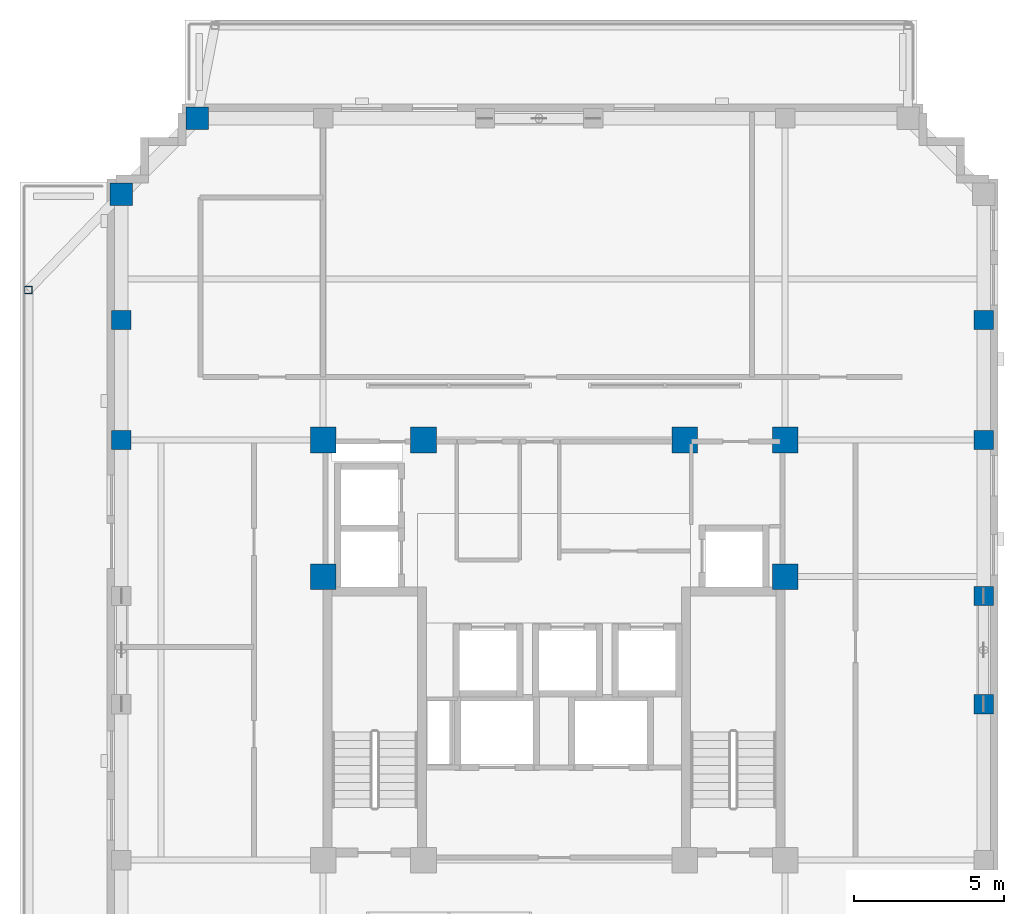
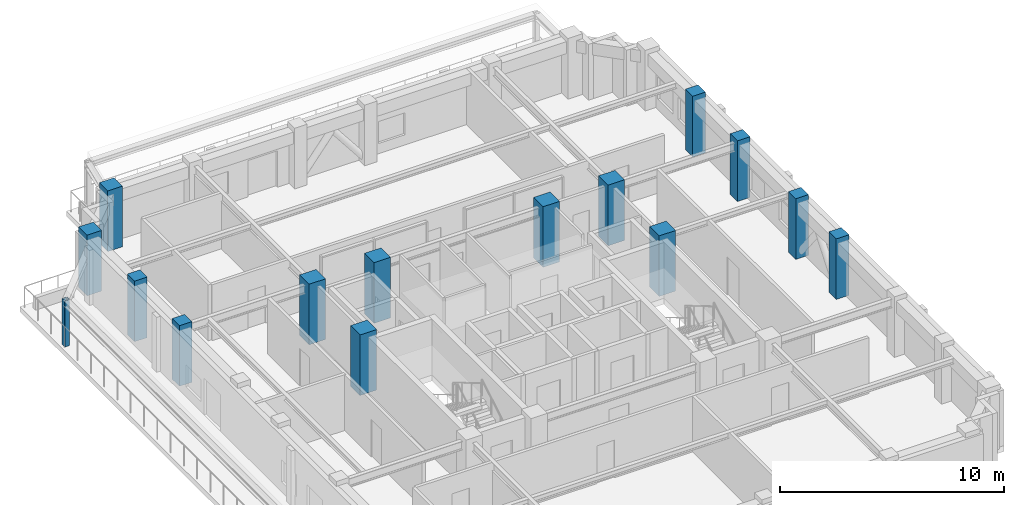
# One storey, part 2 of 14: 15 columns.
"""IFC4 building model written with IfcOpenShell, lengths in metres."""

from ifc_helpers import new_model, si_unit, derived_unit, direction, frame, origin, origin_2d, place, context, subcontext, project, spatial, rectangle, hollow_rectangle, extrude, material, material_profile, profile_set, type_object, element, save


model = new_model("IFC4")

# Units and contexts
model_context = context("Model", 3, precision=1e-05, world=origin(), true_north=direction((0.0, 1.0)))
body_context = subcontext(model_context, "Body", "Model", "MODEL_VIEW")
ifc_project = project(units=[si_unit("LENGTHUNIT", "METRE"), si_unit("AREAUNIT", "SQUARE_METRE"), si_unit("VOLUMEUNIT", "CUBIC_METRE"), si_unit("PLANEANGLEUNIT", "RADIAN"), si_unit("MASSUNIT", "GRAM", prefix="KILO"), derived_unit("THERMALTRANSMITTANCEUNIT", [(si_unit("MASSUNIT", "GRAM", prefix="KILO"), 1), (si_unit("TIMEUNIT", "SECOND"), -3), (si_unit("THERMODYNAMICTEMPERATUREUNIT", "KELVIN"), -1)])], contexts=[model_context])

# Site, building, storey
site_placement = place(None, origin())
site = spatial("IfcSite", under=ifc_project, at=site_placement, CompositionType="ELEMENT")
building_placement = place(site_placement, origin())
building = spatial("IfcBuilding", under=site, at=building_placement, Name="Korrvale Station Residences", CompositionType="ELEMENT")
storey_placement = place(building_placement, frame((0.0, 0.0, 174.39990234375)))
storey = spatial("IfcBuildingStorey", under=building, at=storey_placement, Name="L50", CompositionType="ELEMENT", Elevation=174.39990234375)

# Columns
ifc_material_1 = material(Name="Steel S355", Category="steel")
ifc_material_profile_1 = material_profile(ifc_material_1, hollow_rectangle(XDim=0.25390625, YDim=0.25390625, WallThickness=0.0126953125, InnerFilletRadius=0.0126953125, OuterFilletRadius=0.025390625, at=origin_2d()), Name="HSS254x254x13")
ifc_profile_set_1 = profile_set([ifc_material_profile_1], Name="Steel S355")
column_type_1 = type_object("IfcColumnType", Name="COL-C-HSS254x254x13-S355", PredefinedType="COLUMN", material=ifc_profile_set_1)
column_placement = place(storey_placement, frame((7.97998046875, 34.0, 0.0), z_axis=(0.0, 0.0, 1.0), x_axis=(1.0, 0.0, 0.0)))
element("IfcColumn", 1, at=column_placement, inside=storey, type_object=column_type_1, Name="L50 Setback Canopy Frame Post 2", PredefinedType="COLUMN", context=body_context, shape_type="SweptSolid", body=[
    extrude(hollow_rectangle(XDim=0.25390625, YDim=0.25390625, WallThickness=0.0126953125, InnerFilletRadius=0.0126953125, OuterFilletRadius=0.025390625, at=origin_2d()), origin(), (0.0, 0.0, 1.0), 2.5),
])
ifc_material_2 = material(Name="Concrete C50/60", Category="concrete")
ifc_material_profile_2 = material_profile(ifc_material_2, rectangle(XDim=0.64990234375, YDim=0.64990234375, at=origin_2d()), Name="RC650x650")
ifc_profile_set_2 = profile_set([ifc_material_profile_2], Name="Concrete C50/60")
column_type_2 = type_object("IfcColumnType", Name="COL-C-RC650x650-C5060", PredefinedType="COLUMN", material=ifc_profile_set_2)
for number, where, z_axis, x_axis, name in (
    (2, (11.080078125, 29.0, 0.0), (0.0, 0.0, 1.0), (1.0, 0.0, 0.0), "L50 Bundled-Tube West Column 18"),
    (3, (11.080078125, 33.0, 0.0), (0.0, 0.0, 1.0), (1.0, 0.0, 0.0), "L50 Bundled-Tube West Column 19"),
    (4, (39.820068359375, 20.199951171875, 0.0), (0.0, 0.0, 1.0), (1.0, 0.0, 0.0), "L50 Bundled-Tube East Column 24"),
    (5, (39.820068359375, 23.800048828125, 0.0), (0.0, 0.0, 1.0), (1.0, 0.0, 0.0), "L50 Bundled-Tube East Column 25"),
    (6, (39.820068359375, 29.0, 0.0), (0.0, 0.0, 1.0), (1.0, 0.0, 0.0), "L50 Bundled-Tube East Column 26"),
    (7, (39.820068359375, 33.0, 0.0), (0.0, 0.0, 1.0), (1.0, 0.0, 0.0), "L50 Bundled-Tube East Column 27"),
):
    element("IfcColumn", number, at=place(storey_placement, frame(where, z_axis=z_axis, x_axis=x_axis)), inside=storey, type_object=column_type_2, Name=name, PredefinedType="COLUMN", context=body_context, shape_type="SweptSolid", body=[
        extrude(rectangle(XDim=0.64990234375, YDim=0.64990234375, at=origin_2d()), origin(), (0.0, 0.0, 1.0), 3.300048828125),
    ])
ifc_material_profile_3 = material_profile(ifc_material_2, rectangle(XDim=0.75, YDim=0.75, at=origin_2d()), Name="RC750x750")
ifc_profile_set_3 = profile_set([ifc_material_profile_3], Name="Concrete C50/60")
column_type_3 = type_object("IfcColumnType", Name="COL-C-RC750x750-C5060", PredefinedType="COLUMN", material=ifc_profile_set_3)
for number, where, z_axis, x_axis, name in (
    (8, (13.60009765625, 39.719970703125, 0.0), (0.0, 0.0, 1.0), (1.0, 0.0, 0.0), "L50 Bundled-Tube North Column 07"),
    (9, (11.080078125, 37.199951171875, 0.0), (0.0, 0.0, 1.0), (1.0, 0.0, 0.0), "L50 Bundled-Tube West Column 20"),
):
    element("IfcColumn", number, at=place(storey_placement, frame(where, z_axis=z_axis, x_axis=x_axis)), inside=storey, type_object=column_type_3, Name=name, PredefinedType="COLUMN", context=body_context, shape_type="SweptSolid", body=[
        extrude(rectangle(XDim=0.75, YDim=0.75, at=origin_2d()), origin(), (0.0, 0.0, 1.0), 3.300048828125),
    ])
ifc_material_profile_4 = material_profile(ifc_material_2, rectangle(XDim=0.85009765625, YDim=0.85009765625, at=origin_2d()), Name="RC850x850")
ifc_profile_set_4 = profile_set([ifc_material_profile_4], Name="Concrete C50/60")
column_type_4 = type_object("IfcColumnType", Name="COL-C-RC850x850-C5060", PredefinedType="COLUMN", material=ifc_profile_set_4)
for number, where, z_axis, x_axis, name in (
    (10, (17.800048828125, 29.0, 0.0), (0.0, 0.0, 1.0), (1.0, 0.0, 0.0), "L50 Core Column 05"),
    (11, (21.14990234375, 29.0, 0.0), (0.0, 0.0, 1.0), (1.0, 0.0, 0.0), "L50 Core Column 06"),
    (12, (29.85009765625, 29.0, 0.0), (0.0, 0.0, 1.0), (1.0, 0.0, 0.0), "L50 Core Column 07"),
    (13, (33.199951171875, 29.0, 0.0), (0.0, 0.0, 1.0), (1.0, 0.0, 0.0), "L50 Core Column 08"),
    (14, (17.800048828125, 24.449951171875, 0.0), (0.0, 0.0, 1.0), (1.0, 0.0, 0.0), "L50 Core Column 09"),
    (15, (33.199951171875, 24.449951171875, 0.0), (0.0, 0.0, 1.0), (1.0, 0.0, 0.0), "L50 Core Column 10"),
):
    element("IfcColumn", number, at=place(storey_placement, frame(where, z_axis=z_axis, x_axis=x_axis)), inside=storey, type_object=column_type_4, Name=name, PredefinedType="COLUMN", context=body_context, shape_type="SweptSolid", body=[
        extrude(rectangle(XDim=0.85009765625, YDim=0.85009765625, at=origin_2d()), origin(), (0.0, 0.0, 1.0), 3.300048828125),
    ])

save(model, "model.ifc")
